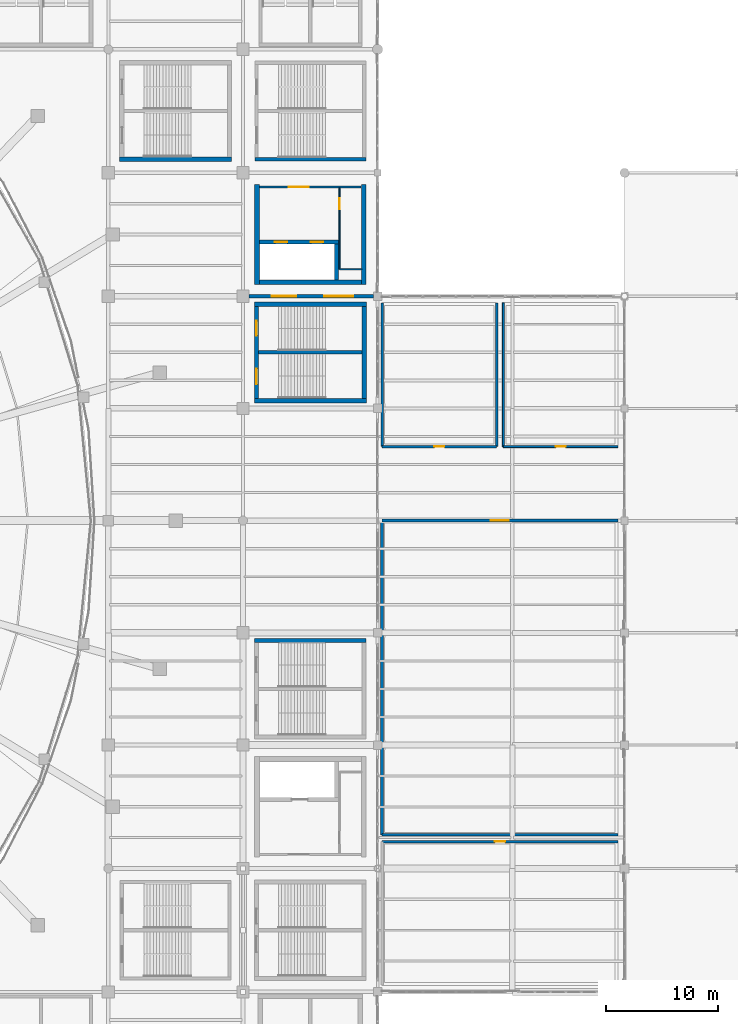
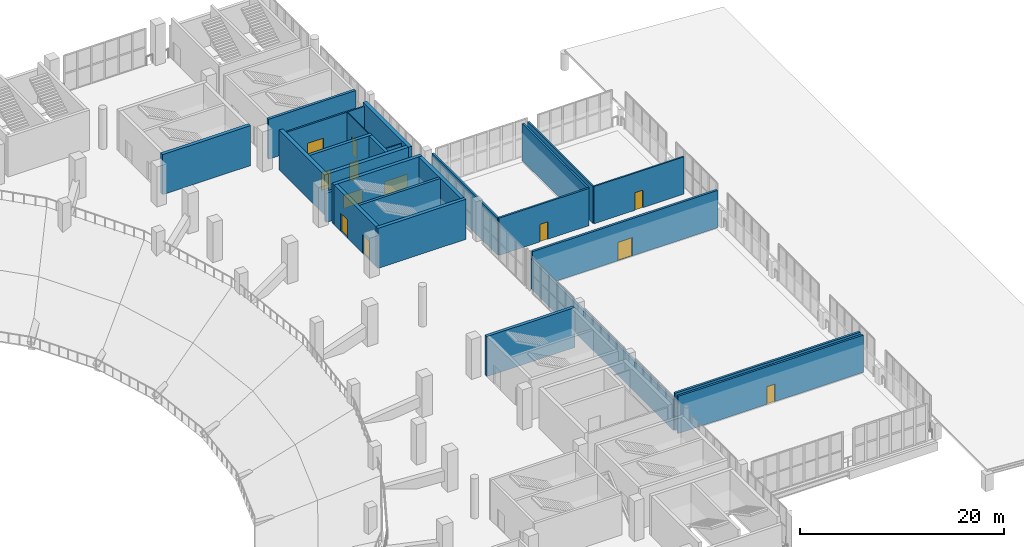
# One storey, part 113 of 136: 26 walls, 10 doors, 2 windows, 12 openings.
"""IFC4 building model written with IfcOpenShell, lengths in metres."""

from ifc_helpers import new_model, si_unit, direction, frame, frame_2d, origin, place, context, subcontext, project, spatial, rectangle, extrude, material, layer, layer_set, type_object, element, fill, save


model = new_model("IFC4")

# Units and contexts
model_context = context("Model", 3, precision=1e-05, world=origin(), true_north=direction((0.0, 1.0)))
body_context = subcontext(model_context, "Body", "Model", "MODEL_VIEW")
ifc_project = project(units=[si_unit("LENGTHUNIT", "METRE"), si_unit("AREAUNIT", "SQUARE_METRE"), si_unit("VOLUMEUNIT", "CUBIC_METRE"), si_unit("PLANEANGLEUNIT", "RADIAN"), si_unit("MASSUNIT", "GRAM", prefix="KILO")], contexts=[model_context])

# Site, building, storey
site_placement = place(None, origin())
site = spatial("IfcSite", under=ifc_project, at=site_placement, CompositionType="ELEMENT")
building_placement = place(site_placement, origin())
building = spatial("IfcBuilding", under=site, at=building_placement, Name="Brinegate Civic Arena", CompositionType="ELEMENT")
storey_placement = place(building_placement, frame((0.0, 0.0, 5.39990234375)))
storey = spatial("IfcBuildingStorey", under=building, at=storey_placement, Name="L01", CompositionType="ELEMENT", Elevation=5.39990234375)

# Wall
ifc_material_1 = material(Name="Concrete C50/60", Category="concrete")
ifc_layer_1 = layer(ifc_material_1, 0.35009765625, Name="Concrete C50/60")
ifc_layer_set_1 = layer_set([ifc_layer_1], Name="Concrete C50/60")
wall_type_1 = type_object("IfcWallType", Name="WALL-CORE-SHEAR-350", PredefinedType="SHEAR", material=ifc_layer_set_1)
wall_1_placement = place(storey_placement, frame((157.02490234375, 51.300048828125, 0.0), z_axis=(0.0, 0.0, 1.0), x_axis=(1.0, 0.0, 0.0)))
element("IfcWall", 1, at=wall_1_placement, inside=storey, type_object=wall_type_1, Name="Stair ST-10 North Shear Wall L01 (WBD-60)", PredefinedType="SHEAR", context=body_context, shape_type="SweptSolid", body=[
    extrude(rectangle(XDim=9.9501953125, YDim=0.35009765625, at=frame_2d((4.97509765625, 0.0))), origin(), (0.0, 0.0, 1.0), 4.800048828125),
])

# Wall, openings, doors
wall_2_placement = place(storey_placement, frame((157.4599609375, 86.85009765625, 0.0), z_axis=(0.0, 0.0, 1.0), x_axis=(1.0, 0.0, 0.0)))
wall_2 = element("IfcWall", 2, at=wall_2_placement, inside=storey, type_object=wall_type_1, Name="Core K5 Lift Shaft Front Wall L01 (WBH-51)", PredefinedType="SHEAR", context=body_context, shape_type="SweptSolid", body=[
    extrude(rectangle(XDim=7.06494140625, YDim=0.35009765625, at=frame_2d((3.532470703125, 0.0))), origin(), (0.0, 0.0, 1.0), 4.800048828125),
])
opening_1_placement = place(wall_2_placement, frame((1.389892578125, 0.0, 0.0)))
opening_1 = element("IfcOpeningElement", 3, at=opening_1_placement, cuts=wall_2, Name="Opening LD-PL7-L01", PredefinedType="OPENING", context=body_context, shape_type="SweptSolid", body=[
    extrude(rectangle(XDim=1.10009765625, YDim=2.199951171875, at=frame_2d((0.550048828125, 1.10009765625))), frame((0.0, 0.18505859375, 0.0), z_axis=(0.0, -1.0, 0.0), x_axis=(1.0, 0.0, 0.0)), (0.0, 0.0, 1.0), 0.3701171875),
])
opening_2_placement = place(wall_2_placement, frame((4.590087890625, 0.0, 0.0)))
opening_2 = element("IfcOpeningElement", 4, at=opening_2_placement, cuts=wall_2, Name="Opening LD-PL8-L01", PredefinedType="OPENING", context=body_context, shape_type="SweptSolid", body=[
    extrude(rectangle(XDim=1.10009765625, YDim=2.199951171875, at=frame_2d((0.550048828125, 1.10009765625))), frame((0.0, 0.18505859375, 0.0), z_axis=(0.0, -1.0, 0.0), x_axis=(1.0, 0.0, 0.0)), (0.0, 0.0, 1.0), 0.3701171875),
])
ifc_material_2 = material(Name="Architectural stainless steel balustrade", Category="steel")
door_type_1 = type_object("IfcDoorType", Name="DOOR-LIFT-1100X2200", OperationType="SLIDING_TO_LEFT", PredefinedType="DOOR", material=ifc_material_2)
door_1_placement = place(opening_1_placement, origin())
door_1 = element("IfcDoor", 5, at=door_1_placement, inside=storey, type_object=door_type_1, Name="Sliding Lift Landing Door LD-PL7-L01", OperationType="SLIDING_TO_LEFT", OverallHeight=2.199951171875, OverallWidth=1.10009765625, PredefinedType="DOOR", context=body_context, shape_type="SweptSolid", body=[
    extrude(rectangle(XDim=1.10009765625, YDim=2.199951171875, at=frame_2d((0.550048828125, 1.10009765625))), frame((0.0, 0.02490234375, 0.0), z_axis=(0.0, -1.0, 0.0), x_axis=(1.0, 0.0, 0.0)), (0.0, 0.0, 1.0), 0.050048828125),
])
fill(opening_1, door_1)
door_2_placement = place(opening_2_placement, origin())
door_2 = element("IfcDoor", 6, at=door_2_placement, inside=storey, type_object=door_type_1, Name="Sliding Lift Landing Door LD-PL8-L01", OperationType="SLIDING_TO_LEFT", OverallHeight=2.199951171875, OverallWidth=1.10009765625, PredefinedType="DOOR", context=body_context, shape_type="SweptSolid", body=[
    extrude(rectangle(XDim=1.10009765625, YDim=2.199951171875, at=frame_2d((0.550048828125, 1.10009765625))), frame((0.0, 0.02490234375, 0.0), z_axis=(0.0, -1.0, 0.0), x_axis=(1.0, 0.0, 0.0)), (0.0, 0.0, 1.0), 0.050048828125),
])
fill(opening_2, door_2)

# Walls
wall_3_placement = place(storey_placement, frame((164.35009765625, 83.4599609375, 0.0), z_axis=(0.0, 0.0, 1.0), x_axis=(0.0, 1.0, 0.0)))
element("IfcWall", 7, at=wall_3_placement, inside=storey, type_object=wall_type_1, Name="Core K5 Lift Shaft End Wall L01 (WBH-52)", PredefinedType="SHEAR", context=body_context, shape_type="SweptSolid", body=[
    extrude(rectangle(XDim=3.215087890625, YDim=0.35009765625, at=frame_2d((1.607421875, 0.0))), origin(), (0.0, 0.0, 1.0), 4.800048828125),
])
ifc_layer_2 = layer(ifc_material_1, 0.389892578125, Name="Concrete C50/60")
ifc_layer_set_2 = layer_set([ifc_layer_2], Name="Concrete C50/60")
wall_type_2 = type_object("IfcWallType", Name="WALL-CORE-SHEAR-390", PredefinedType="SHEAR", material=ifc_layer_set_2)
for number, where, z_axis, x_axis, name in (
    (8, (157.0048828125, 72.699951171875, 0.0), (0.0, 0.0, 1.0), (1.0, 0.0, 0.0), "Stair ST-09 South Shear Wall L01 (WBD-34)"),
    (9, (157.0048828125, 81.300048828125, 0.0), (0.0, 0.0, 1.0), (1.0, 0.0, 0.0), "Stair ST-09 North Shear Wall L01 (WBD-35)"),
):
    element("IfcWall", number, at=place(storey_placement, frame(where, z_axis=z_axis, x_axis=x_axis)), inside=storey, type_object=wall_type_2, Name=name, PredefinedType="SHEAR", context=body_context, shape_type="SweptSolid", body=[
        extrude(rectangle(XDim=9.990234375, YDim=0.389892578125, at=frame_2d((4.9951171875, 0.0))), origin(), (0.0, 0.0, 1.0), 4.800048828125),
    ])

# Wall, openings, doors
wall_4_placement = place(storey_placement, frame((157.199951171875, 72.89501953125, 0.0), z_axis=(0.0, 0.0, 1.0), x_axis=(0.0, 1.0, 0.0)))
wall_4 = element("IfcWall", 10, at=wall_4_placement, inside=storey, type_object=wall_type_2, Name="Stair ST-09 West Shear Wall L01 (WBD-36)", PredefinedType="SHEAR", context=body_context, shape_type="SweptSolid", body=[
    extrude(rectangle(XDim=8.2099609375, YDim=0.389892578125, at=frame_2d((4.10498046875, 0.0))), origin(), (0.0, 0.0, 1.0), 4.800048828125),
])
opening_3_placement = place(wall_4_placement, frame((1.2548828125, 0.0, 0.0)))
opening_3 = element("IfcOpeningElement", 11, at=opening_3_placement, cuts=wall_4, Name="Opening D-ST09A-L01", PredefinedType="OPENING", context=body_context, shape_type="SweptSolid", body=[
    extrude(rectangle(XDim=1.39990234375, YDim=2.199951171875, at=frame_2d((0.699951171875, 1.10009765625))), frame((0.0, 0.204833984375, 0.0), z_axis=(0.0, -1.0, 0.0), x_axis=(1.0, 0.0, 0.0)), (0.0, 0.0, 1.0), 0.409912109375),
])
opening_4_placement = place(wall_4_placement, frame((5.594970703125, 0.0, 0.0)))
opening_4 = element("IfcOpeningElement", 12, at=opening_4_placement, cuts=wall_4, Name="Opening D-ST09B-L01", PredefinedType="OPENING", context=body_context, shape_type="SweptSolid", body=[
    extrude(rectangle(XDim=1.320068359375, YDim=2.199951171875, at=frame_2d((0.66015625, 1.10009765625))), frame((0.0, 0.204833984375, 0.0), z_axis=(0.0, -1.0, 0.0), x_axis=(1.0, 0.0, 0.0)), (0.0, 0.0, 1.0), 0.409912109375),
])
ifc_material_3 = material(Name="Galvanized hurricane steel", Category="steel")
door_type_2 = type_object("IfcDoorType", Name="DOOR-STAIR-2200X2200", OperationType="NOTDEFINED", PredefinedType="DOOR", material=ifc_material_3)
door_3_placement = place(opening_4_placement, origin())
door_3 = element("IfcDoor", 13, at=door_3_placement, inside=storey, type_object=door_type_2, Name="Protected Exit Stair Door D-ST09B-L01", OperationType="DOUBLE_DOOR_SINGLE_SWING", OverallHeight=2.199951171875, OverallWidth=1.320068359375, PredefinedType="DOOR", context=body_context, shape_type="SweptSolid", body=[
    extrude(rectangle(XDim=1.320068359375, YDim=2.199951171875, at=frame_2d((0.66015625, 1.10009765625))), frame((0.0, 0.02490234375, 0.0), z_axis=(0.0, -1.0, 0.0), x_axis=(1.0, 0.0, 0.0)), (0.0, 0.0, 1.0), 0.050048828125),
])
fill(opening_4, door_3)
door_type_3 = type_object("IfcDoorType", Name="DOOR-STAIR-2400X2200", OperationType="NOTDEFINED", PredefinedType="DOOR", material=ifc_material_3)
door_4_placement = place(opening_3_placement, origin())
door_4 = element("IfcDoor", 14, at=door_4_placement, inside=storey, type_object=door_type_3, Name="Protected Exit Stair Door D-ST09A-L01", OperationType="DOUBLE_DOOR_SINGLE_SWING", OverallHeight=2.199951171875, OverallWidth=1.39990234375, PredefinedType="DOOR", context=body_context, shape_type="SweptSolid", body=[
    extrude(rectangle(XDim=1.39990234375, YDim=2.199951171875, at=frame_2d((0.699951171875, 1.10009765625))), frame((0.0, 0.02490234375, 0.0), z_axis=(0.0, -1.0, 0.0), x_axis=(1.0, 0.0, 0.0)), (0.0, 0.0, 1.0), 0.050048828125),
])
fill(opening_3, door_4)

# Walls
wall_5_placement = place(storey_placement, frame((166.800048828125, 72.89501953125, 0.0), z_axis=(0.0, 0.0, 1.0), x_axis=(0.0, 1.0, 0.0)))
element("IfcWall", 15, at=wall_5_placement, inside=storey, type_object=wall_type_2, Name="Stair ST-09 East Shear Wall L01 (WBD-37)", PredefinedType="SHEAR", context=body_context, shape_type="SweptSolid", body=[
    extrude(rectangle(XDim=8.2099609375, YDim=0.389892578125, at=frame_2d((4.10498046875, 0.0))), origin(), (0.0, 0.0, 1.0), 4.800048828125),
])
wall_6_placement = place(storey_placement, frame((145.0048828125, 94.199951171875, 0.0), z_axis=(0.0, 0.0, 1.0), x_axis=(1.0, 0.0, 0.0)))
element("IfcWall", 16, at=wall_6_placement, inside=storey, type_object=wall_type_2, Name="Stair ST-18 South Shear Wall L01 (WBL-06)", PredefinedType="SHEAR", context=body_context, shape_type="SweptSolid", body=[
    extrude(rectangle(XDim=9.990234375, YDim=0.389892578125, at=frame_2d((4.9951171875, 0.0))), origin(), (0.0, 0.0, 1.0), 4.800048828125),
])
ifc_layer_3 = layer(ifc_material_1, 0.419921875, Name="Concrete C50/60")
ifc_layer_set_3 = layer_set([ifc_layer_3], Name="Concrete C50/60")
wall_type_3 = type_object("IfcWallType", Name="WALL-CORE-SHEAR-420", PredefinedType="SHEAR", material=ifc_layer_set_3)
for number, where, z_axis, x_axis, name in (
    (17, (157.25, 83.0400390625, 0.0), (0.0, 0.0, 1.0), (0.0, 1.0, 0.0), "Core K5 West Shear Wall L01 (WBH-48)"),
    (18, (166.75, 83.0400390625, 0.0), (0.0, 0.0, 1.0), (0.0, 1.0, 0.0), "Core K5 East Shear Wall L01 (WBH-49)"),
):
    element("IfcWall", number, at=place(storey_placement, frame(where, z_axis=z_axis, x_axis=x_axis)), inside=storey, type_object=wall_type_3, Name=name, PredefinedType="SHEAR", context=body_context, shape_type="SweptSolid", body=[
        extrude(rectangle(XDim=8.919921875, YDim=0.419921875, at=frame_2d((4.4599609375, 0.0))), origin(), (0.0, 0.0, 1.0), 4.800048828125),
    ])
wall_7_placement = place(storey_placement, frame((157.4599609375, 83.25, 0.0), z_axis=(0.0, 0.0, 1.0), x_axis=(1.0, 0.0, 0.0)))
element("IfcWall", 19, at=wall_7_placement, inside=storey, type_object=wall_type_3, Name="Core K5 South Shear Wall L01 (WBH-50)", PredefinedType="SHEAR", context=body_context, shape_type="SweptSolid", body=[
    extrude(rectangle(XDim=9.080078125, YDim=0.419921875, at=frame_2d((4.5400390625, 0.0))), origin(), (0.0, 0.0, 1.0), 4.800048828125),
])

# Wall, openings, windows
ifc_material_4 = material(Name="Precast concrete C45/55", Category="concrete")
ifc_layer_4 = layer(ifc_material_4, 0.330078125, Name="Precast concrete C45/55")
ifc_layer_set_4 = layer_set([ifc_layer_4], Name="Precast concrete C45/55")
wall_type_4 = type_object("IfcWallType", Name="WALL-EXT-PRECAST-330", PredefinedType="SOLIDWALL", material=ifc_layer_set_4)
wall_8_placement = place(storey_placement, frame((156.534912109375, 82.0, 0.0), z_axis=(0.0, 0.0, 1.0), x_axis=(1.0, 0.0, 0.0)))
wall_8 = element("IfcWall", 20, at=wall_8_placement, inside=storey, type_object=wall_type_4, Name="Perimeter Window Wall L01-08 (WBA-08)", PredefinedType="SOLIDWALL", context=body_context, shape_type="SweptSolid", body=[
    extrude(rectangle(XDim=11.10498046875, YDim=0.330078125, at=frame_2d((5.552490234375, 0.0))), origin(), (0.0, 0.0, 1.0), 3.523193359375),
])
opening_5_placement = place(wall_8_placement, frame((2.009033203125, 0.0, 0.89990234375)))
opening_5 = element("IfcOpeningElement", 21, at=opening_5_placement, cuts=wall_8, Name="Opening WN-0013", PredefinedType="OPENING", context=body_context, shape_type="SweptSolid", body=[
    extrude(rectangle(XDim=2.199951171875, YDim=1.60009765625, at=frame_2d((1.10009765625, 0.800048828125))), frame((0.0, 0.175048828125, 0.0), z_axis=(0.0, -1.0, 0.0), x_axis=(1.0, 0.0, 0.0)), (0.0, 0.0, 1.0), 0.35009765625),
])
opening_6_placement = place(wall_8_placement, frame((6.696044921875, 0.0, 0.89990234375)))
opening_6 = element("IfcOpeningElement", 22, at=opening_6_placement, cuts=wall_8, Name="Opening WN-0014", PredefinedType="OPENING", context=body_context, shape_type="SweptSolid", body=[
    extrude(rectangle(XDim=2.60009765625, YDim=1.60009765625, at=frame_2d((1.300048828125, 0.800048828125))), frame((0.0, 0.175048828125, 0.0), z_axis=(0.0, -1.0, 0.0), x_axis=(1.0, 0.0, 0.0)), (0.0, 0.0, 1.0), 0.35009765625),
])
ifc_material_5 = material(Name="Hurricane laminated low-E glass", Category="glass")
window_type_1 = type_object("IfcWindowType", Name="WIN-CASEMENT-2200X1600", PartitioningType="SINGLE_PANEL", PredefinedType="WINDOW", material=ifc_material_5)
window_1_placement = place(opening_5_placement, origin())
window_1 = element("IfcWindow", 23, at=window_1_placement, inside=storey, type_object=window_type_1, Name="Window WN-0013", OverallHeight=1.60009765625, OverallWidth=2.199951171875, PartitioningType="SINGLE_PANEL", PredefinedType="WINDOW", context=body_context, shape_type="SweptSolid", body=[
    extrude(rectangle(XDim=2.199951171875, YDim=1.60009765625, at=frame_2d((1.10009765625, 0.800048828125))), frame((0.0, 0.030029296875, 0.0), z_axis=(0.0, -1.0, 0.0), x_axis=(1.0, 0.0, 0.0)), (0.0, 0.0, 1.0), 0.06005859375),
])
fill(opening_5, window_1)
window_type_2 = type_object("IfcWindowType", Name="WIN-CASEMENT-2600X1600", PartitioningType="SINGLE_PANEL", PredefinedType="WINDOW", material=ifc_material_5)
window_2_placement = place(opening_6_placement, origin())
window_2 = element("IfcWindow", 24, at=window_2_placement, inside=storey, type_object=window_type_2, Name="Window WN-0014", OverallHeight=1.60009765625, OverallWidth=2.60009765625, PartitioningType="SINGLE_PANEL", PredefinedType="WINDOW", context=body_context, shape_type="SweptSolid", body=[
    extrude(rectangle(XDim=2.60009765625, YDim=1.60009765625, at=frame_2d((1.300048828125, 0.800048828125))), frame((0.0, 0.030029296875, 0.0), z_axis=(0.0, -1.0, 0.0), x_axis=(1.0, 0.0, 0.0)), (0.0, 0.0, 1.0), 0.06005859375),
])
fill(opening_6, window_2)

# Wall
ifc_material_6 = material(Name="Concrete C40/50", Category="concrete")
ifc_layer_5 = layer(ifc_material_6, 0.2099609375, Name="Concrete C40/50")
ifc_layer_set_5 = layer_set([ifc_layer_5], Name="Concrete C40/50")
wall_type_5 = type_object("IfcWallType", Name="WALL-INT-SOLID-210", PredefinedType="SOLIDWALL", material=ifc_layer_set_5)
wall_9_placement = place(storey_placement, frame((178.60009765625, 81.39990234375, 0.0), z_axis=(0.0, 0.0, 1.0), x_axis=(0.0, -1.0, 0.0)))
element("IfcWall", 25, at=wall_9_placement, inside=storey, type_object=wall_type_5, Name="Concourse North Male Toilet Partition Wall E1 (WBJ-12)", PredefinedType="SOLIDWALL", context=body_context, shape_type="SweptSolid", body=[
    extrude(rectangle(XDim=12.7998046875, YDim=0.2099609375, at=frame_2d((6.39990234375, 0.0))), origin(), (0.0, 0.0, 1.0), 4.47021484375),
])

# Wall, opening, door
wall_10_placement = place(storey_placement, frame((178.60009765625, 68.60009765625, 0.0), z_axis=(0.0, 0.0, 1.0), x_axis=(-1.0, 0.0, 0.0)))
wall_10 = element("IfcWall", 26, at=wall_10_placement, inside=storey, type_object=wall_type_5, Name="Concourse North Male Toilet Partition Wall E2 (WBJ-13)", PredefinedType="SOLIDWALL", context=body_context, shape_type="SweptSolid", body=[
    extrude(rectangle(XDim=10.2001953125, YDim=0.2099609375, at=frame_2d((5.10009765625, 0.0))), origin(), (0.0, 0.0, 1.0), 4.47021484375),
])
opening_7_placement = place(wall_10_placement, frame((4.64990234375, 0.0, 0.0)))
opening_7 = element("IfcOpeningElement", 27, at=opening_7_placement, cuts=wall_10, Name="Opening D-L01-179", PredefinedType="OPENING", context=body_context, shape_type="SweptSolid", body=[
    extrude(rectangle(XDim=0.89990234375, YDim=2.10009765625, at=frame_2d((0.449951171875, 1.050048828125))), frame((0.0, 0.114990234375, 0.0), z_axis=(0.0, -1.0, 0.0), x_axis=(1.0, 0.0, 0.0)), (0.0, 0.0, 1.0), 0.22998046875),
])
ifc_material_7 = material(Name="Hardwood acoustic timber door", Category="wood")
door_type_4 = type_object("IfcDoorType", Name="DOOR-WC-900X2100", OperationType="NOTDEFINED", PredefinedType="DOOR", material=ifc_material_7)
door_5_placement = place(opening_7_placement, origin())
door_5 = element("IfcDoor", 28, at=door_5_placement, inside=storey, type_object=door_type_4, Name="Concourse North Male Toilet Door D-L01-179", OperationType="SINGLE_SWING_LEFT", OverallHeight=2.10009765625, OverallWidth=0.89990234375, PredefinedType="DOOR", context=body_context, shape_type="SweptSolid", body=[
    extrude(rectangle(XDim=0.89990234375, YDim=2.10009765625, at=frame_2d((0.449951171875, 1.050048828125))), frame((0.0, 0.02490234375, 0.0), z_axis=(0.0, -1.0, 0.0), x_axis=(1.0, 0.0, 0.0)), (0.0, 0.0, 1.0), 0.050048828125),
])
fill(opening_7, door_5)

# Wall
wall_11_placement = place(storey_placement, frame((168.39990234375, 68.60009765625, 0.0), z_axis=(0.0, 0.0, 1.0), x_axis=(0.0, 1.0, 0.0)))
element("IfcWall", 29, at=wall_11_placement, inside=storey, type_object=wall_type_5, Name="Concourse North Male Toilet Partition Wall E3 (WBJ-14)", PredefinedType="SOLIDWALL", context=body_context, shape_type="SweptSolid", body=[
    extrude(rectangle(XDim=12.7998046875, YDim=0.2099609375, at=frame_2d((6.39990234375, 0.0))), origin(), (0.0, 0.0, 1.0), 4.47021484375),
])

# Wall, opening, door
ifc_layer_6 = layer(ifc_material_6, 0.22998046875, Name="Concrete C40/50")
ifc_layer_set_6 = layer_set([ifc_layer_6], Name="Concrete C40/50")
wall_type_6 = type_object("IfcWallType", Name="WALL-INT-SOLID-230", PredefinedType="SOLIDWALL", material=ifc_layer_set_6)
wall_12_placement = place(storey_placement, frame((168.39990234375, 33.39990234375, 0.0), z_axis=(0.0, 0.0, 1.0), x_axis=(1.0, 0.0, 0.0)))
wall_12 = element("IfcWall", 30, at=wall_12_placement, inside=storey, type_object=wall_type_6, Name="First Aid and Spectator Medical Station Partition Wall E4 (WBJ-11)", PredefinedType="SOLIDWALL", context=body_context, shape_type="SweptSolid", body=[
    extrude(rectangle(XDim=21.0, YDim=0.22998046875, at=frame_2d((10.5, 0.0))), origin(), (0.0, 0.0, 1.0), 4.47021484375),
])
opening_8_placement = place(wall_12_placement, frame((10.050048828125, 0.0, 0.0)))
opening_8 = element("IfcOpeningElement", 31, at=opening_8_placement, cuts=wall_12, Name="Opening D-L01-178", PredefinedType="OPENING", context=body_context, shape_type="SweptSolid", body=[
    extrude(rectangle(XDim=0.89990234375, YDim=2.10009765625, at=frame_2d((0.449951171875, 1.050048828125))), frame((0.0, 0.125, 0.0), z_axis=(0.0, -1.0, 0.0), x_axis=(1.0, 0.0, 0.0)), (0.0, 0.0, 1.0), 0.25),
])
door_6_placement = place(opening_8_placement, origin())
door_6 = element("IfcDoor", 32, at=door_6_placement, inside=storey, type_object=door_type_4, Name="First Aid and Spectator Medical Station Door D-L01-178", OperationType="SINGLE_SWING_RIGHT", OverallHeight=2.10009765625, OverallWidth=0.89990234375, PredefinedType="DOOR", context=body_context, shape_type="SweptSolid", body=[
    extrude(rectangle(XDim=0.89990234375, YDim=2.10009765625, at=frame_2d((0.449951171875, 1.050048828125))), frame((0.0, 0.02490234375, 0.0), z_axis=(0.0, -1.0, 0.0), x_axis=(1.0, 0.0, 0.0)), (0.0, 0.0, 1.0), 0.050048828125),
])
fill(opening_8, door_6)

# Walls
ifc_layer_7 = layer(ifc_material_6, 0.25, Name="Concrete C40/50")
ifc_layer_set_7 = layer_set([ifc_layer_7], Name="Concrete C40/50")
wall_type_7 = type_object("IfcWallType", Name="WALL-INT-SOLID-250", PredefinedType="SOLIDWALL", material=ifc_layer_set_7)
wall_13_placement = place(storey_placement, frame((189.39990234375, 34.0, 0.0), z_axis=(0.0, 0.0, 1.0), x_axis=(-1.0, 0.0, 0.0)))
element("IfcWall", 33, at=wall_13_placement, inside=storey, type_object=wall_type_7, Name="East Concourse Fan Club Lounge Partition Wall E2 (WBJ-07)", PredefinedType="SOLIDWALL", context=body_context, shape_type="SweptSolid", body=[
    extrude(rectangle(XDim=21.0, YDim=0.25, at=frame_2d((10.5, 0.0))), origin(), (0.0, 0.0, 1.0), 4.47021484375),
])
wall_14_placement = place(storey_placement, frame((168.39990234375, 34.0, 0.0), z_axis=(0.0, 0.0, 1.0), x_axis=(0.0, 1.0, 0.0)))
element("IfcWall", 34, at=wall_14_placement, inside=storey, type_object=wall_type_7, Name="East Concourse Fan Club Lounge Partition Wall E3 (WBJ-08)", PredefinedType="SOLIDWALL", context=body_context, shape_type="SweptSolid", body=[
    extrude(rectangle(XDim=28.0, YDim=0.25, at=frame_2d((14.0, 0.0))), origin(), (0.0, 0.0, 1.0), 3.60009765625),
])

# Wall, opening, door
wall_15_placement = place(storey_placement, frame((168.39990234375, 62.0, 0.0), z_axis=(0.0, 0.0, 1.0), x_axis=(1.0, 0.0, 0.0)))
wall_15 = element("IfcWall", 35, at=wall_15_placement, inside=storey, type_object=wall_type_7, Name="East Concourse Fan Club Lounge Partition Wall E4 (WBJ-09)", PredefinedType="SOLIDWALL", context=body_context, shape_type="SweptSolid", body=[
    extrude(rectangle(XDim=21.0, YDim=0.25, at=frame_2d((10.5, 0.0))), origin(), (0.0, 0.0, 1.0), 4.47021484375),
])
opening_9_placement = place(wall_15_placement, frame((9.699951171875, 0.0, 0.0)))
opening_9 = element("IfcOpeningElement", 36, at=opening_9_placement, cuts=wall_15, Name="Opening D-L01-177", PredefinedType="OPENING", context=body_context, shape_type="SweptSolid", body=[
    extrude(rectangle(XDim=1.60009765625, YDim=2.199951171875, at=frame_2d((0.800048828125, 1.10009765625))), frame((0.0, 0.135009765625, 0.0), z_axis=(0.0, -1.0, 0.0), x_axis=(1.0, 0.0, 0.0)), (0.0, 0.0, 1.0), 0.27001953125),
])
door_type_5 = type_object("IfcDoorType", Name="DOOR-CLUB-1600X2200", OperationType="NOTDEFINED", PredefinedType="DOOR", material=ifc_material_7)
door_7_placement = place(opening_9_placement, origin())
door_7 = element("IfcDoor", 37, at=door_7_placement, inside=storey, type_object=door_type_5, Name="East Concourse Fan Club Lounge Door D-L01-177", OperationType="DOUBLE_DOOR_SINGLE_SWING", OverallHeight=2.199951171875, OverallWidth=1.60009765625, PredefinedType="DOOR", context=body_context, shape_type="SweptSolid", body=[
    extrude(rectangle(XDim=1.60009765625, YDim=2.199951171875, at=frame_2d((0.800048828125, 1.10009765625))), frame((0.0, 0.02490234375, 0.0), z_axis=(0.0, -1.0, 0.0), x_axis=(1.0, 0.0, 0.0)), (0.0, 0.0, 1.0), 0.050048828125),
])
fill(opening_9, door_7)

ifc_material_8 = material(Name="Fire-rated gypsum partition assembly")
ifc_layer_8 = layer(ifc_material_8, 0.175048828125, Name="Fire-rated gypsum partition assembly")
ifc_layer_set_8 = layer_set([ifc_layer_8], Name="Fire-rated gypsum partition assembly")
wall_type_8 = type_object("IfcWallType", Name="WALL-PART-RATED-175", PredefinedType="PARTITIONING", material=ifc_layer_set_8)
wall_16_placement = place(storey_placement, frame((189.39990234375, 68.60009765625, 0.0), z_axis=(0.0, 0.0, 1.0), x_axis=(-1.0, 0.0, 0.0)))
wall_16 = element("IfcWall", 38, at=wall_16_placement, inside=storey, type_object=wall_type_8, Name="Concourse North Female Toilet Partition Wall E2 (WBJ-15)", PredefinedType="PARTITIONING", context=body_context, shape_type="SweptSolid", body=[
    extrude(rectangle(XDim=10.199951171875, YDim=0.175048828125, at=frame_2d((5.10009765625, 0.0))), origin(), (0.0, 0.0, 1.0), 4.47021484375),
])
opening_10_placement = place(wall_16_placement, frame((4.64990234375, 0.0, 0.0)))
opening_10 = element("IfcOpeningElement", 39, at=opening_10_placement, cuts=wall_16, Name="Opening D-L01-180", PredefinedType="OPENING", context=body_context, shape_type="SweptSolid", body=[
    extrude(rectangle(XDim=0.89990234375, YDim=2.10009765625, at=frame_2d((0.449951171875, 1.050048828125))), frame((0.0, 0.097412109375, 0.0), z_axis=(0.0, -1.0, 0.0), x_axis=(1.0, 0.0, 0.0)), (0.0, 0.0, 1.0), 0.195068359375),
])
door_8_placement = place(opening_10_placement, origin())
door_8 = element("IfcDoor", 40, at=door_8_placement, inside=storey, type_object=door_type_4, Name="Concourse North Female Toilet Door D-L01-180", OperationType="SINGLE_SWING_RIGHT", OverallHeight=2.10009765625, OverallWidth=0.89990234375, PredefinedType="DOOR", context=body_context, shape_type="SweptSolid", body=[
    extrude(rectangle(XDim=0.89990234375, YDim=2.10009765625, at=frame_2d((0.449951171875, 1.050048828125))), frame((0.0, 0.02490234375, 0.0), z_axis=(0.0, -1.0, 0.0), x_axis=(1.0, 0.0, 0.0)), (0.0, 0.0, 1.0), 0.050048828125),
])
fill(opening_10, door_8)

# Wall
wall_17_placement = place(storey_placement, frame((179.199951171875, 68.60009765625, 0.0), z_axis=(0.0, 0.0, 1.0), x_axis=(0.0, 1.0, 0.0)))
element("IfcWall", 41, at=wall_17_placement, inside=storey, type_object=wall_type_8, Name="Concourse North Female Toilet Partition Wall E3 (WBJ-16)", PredefinedType="PARTITIONING", context=body_context, shape_type="SweptSolid", body=[
    extrude(rectangle(XDim=12.7998046875, YDim=0.175048828125, at=frame_2d((6.39990234375, 0.0))), origin(), (0.0, 0.0, 1.0), 4.47021484375),
])

# Wall, opening, door
ifc_material_9 = material(Name="Concrete blockwork masonry", Category="masonry")
ifc_layer_9 = layer(ifc_material_9, 0.18994140625, Name="Concrete blockwork masonry")
ifc_layer_set_9 = layer_set([ifc_layer_9], Name="Concrete blockwork masonry")
wall_type_9 = type_object("IfcWallType", Name="WALL-PART-RATED-190", PredefinedType="PARTITIONING", material=ifc_layer_set_9)
wall_18_placement = place(storey_placement, frame((157.469970703125, 91.75, 0.0), z_axis=(0.0, 0.0, 1.0), x_axis=(1.0, 0.0, 0.0)))
wall_18 = element("IfcWall", 42, at=wall_18_placement, inside=storey, type_object=wall_type_9, Name="Core K5 Concourse Lobby Wall L01 (WBH-53)", PredefinedType="PARTITIONING", context=body_context, shape_type="SweptSolid", body=[
    extrude(rectangle(XDim=9.06005859375, YDim=0.18994140625, at=frame_2d((4.530029296875, 0.0))), origin(), (0.0, 0.0, 1.0), 4.47021484375),
])
opening_11_placement = place(wall_18_placement, frame((2.60009765625, 0.0, 0.0)))
opening_11 = element("IfcOpeningElement", 43, at=opening_11_placement, cuts=wall_18, Name="Opening D-K5L-L01", PredefinedType="OPENING", context=body_context, shape_type="SweptSolid", body=[
    extrude(rectangle(XDim=1.800048828125, YDim=2.300048828125, at=frame_2d((0.89990234375, 1.14990234375))), frame((0.0, 0.10498046875, 0.0), z_axis=(0.0, -1.0, 0.0), x_axis=(1.0, 0.0, 0.0)), (0.0, 0.0, 1.0), 0.2099609375),
])
ifc_material_10 = material(Name="Marine grade aluminium", Category="aluminium")
door_type_6 = type_object("IfcDoorType", Name="DOOR-CONC-1800X2300", OperationType="NOTDEFINED", PredefinedType="DOOR", material=ifc_material_10)
door_9_placement = place(opening_11_placement, origin())
door_9 = element("IfcDoor", 44, at=door_9_placement, inside=storey, type_object=door_type_6, Name="Lift Lobby Door D-K5L-L01", OperationType="DOUBLE_DOOR_SINGLE_SWING", OverallHeight=2.300048828125, OverallWidth=1.800048828125, PredefinedType="DOOR", context=body_context, shape_type="SweptSolid", body=[
    extrude(rectangle(XDim=1.800048828125, YDim=2.300048828125, at=frame_2d((0.89990234375, 1.14990234375))), frame((0.0, 0.02490234375, 0.0), z_axis=(0.0, -1.0, 0.0), x_axis=(1.0, 0.0, 0.0)), (0.0, 0.0, 1.0), 0.050048828125),
])
fill(opening_11, door_9)

ifc_layer_10 = layer(ifc_material_9, 0.10009765625, Name="Concrete blockwork masonry")
ifc_layer_set_10 = layer_set([ifc_layer_10], Name="Concrete blockwork masonry")
wall_type_10 = type_object("IfcWallType", Name="WALL-PART-WET-100", PredefinedType="PARTITIONING", material=ifc_layer_set_10)
wall_19_placement = place(storey_placement, frame((164.60009765625, 84.39990234375, 0.0), z_axis=(0.0, 0.0, 1.0), x_axis=(0.0, 1.0, 0.0)))
wall_19 = element("IfcWall", 45, at=wall_19_placement, inside=storey, type_object=wall_type_10, Name="Accessible WC K5 Partition L01 (WBH-54)", PredefinedType="PARTITIONING", context=body_context, shape_type="SweptSolid", body=[
    extrude(rectangle(XDim=7.25, YDim=0.10009765625, at=frame_2d((3.625, 0.0))), origin(), (0.0, 0.0, 1.0), 4.47021484375),
])
opening_12_placement = place(wall_19_placement, frame((5.35009765625, 0.0, 0.0)))
opening_12 = element("IfcOpeningElement", 46, at=opening_12_placement, cuts=wall_19, Name="Opening D-K5W-L01", PredefinedType="OPENING", context=body_context, shape_type="SweptSolid", body=[
    extrude(rectangle(XDim=1.0, YDim=2.10009765625, at=frame_2d((0.5, 1.050048828125))), frame((0.0, 0.06005859375, 0.0), z_axis=(0.0, -1.0, 0.0), x_axis=(1.0, 0.0, 0.0)), (0.0, 0.0, 1.0), 0.1201171875),
])
door_type_7 = type_object("IfcDoorType", Name="DOOR-AWC-1000X2100", OperationType="NOTDEFINED", PredefinedType="DOOR", material=ifc_material_7)
door_10_placement = place(opening_12_placement, origin())
door_10 = element("IfcDoor", 47, at=door_10_placement, inside=storey, type_object=door_type_7, Name="Accessible WC Door D-K5W-L01", OperationType="SINGLE_SWING_LEFT", OverallHeight=2.10009765625, OverallWidth=1.0, PredefinedType="DOOR", context=body_context, shape_type="SweptSolid", body=[
    extrude(rectangle(XDim=1.0, YDim=2.10009765625, at=frame_2d((0.5, 1.050048828125))), frame((0.0, 0.02490234375, 0.0), z_axis=(0.0, -1.0, 0.0), x_axis=(1.0, 0.0, 0.0)), (0.0, 0.0, 1.0), 0.050048828125),
])
fill(opening_12, door_10)

# Walls
wall_20_placement = place(storey_placement, frame((164.60009765625, 84.39990234375, 0.0), z_axis=(0.0, 0.0, 1.0), x_axis=(1.0, 0.0, 0.0)))
element("IfcWall", 48, at=wall_20_placement, inside=storey, type_object=wall_type_10, Name="Accessible WC K5 Back Partition L01 (WBH-55)", PredefinedType="PARTITIONING", context=body_context, shape_type="SweptSolid", body=[
    extrude(rectangle(XDim=2.0, YDim=0.10009765625, at=frame_2d((1.0, 0.0))), origin(), (0.0, 0.0, 1.0), 4.47021484375),
])
ifc_layer_11 = layer(ifc_material_1, 0.2900390625, Name="Concrete C50/60")
ifc_layer_set_11 = layer_set([ifc_layer_11], Name="Concrete C50/60")
wall_type_11 = type_object("IfcWallType", Name="WALL-STAIR-SHEAR-290", PredefinedType="SHEAR", material=ifc_layer_set_11)
wall_21_placement = place(storey_placement, frame((157.39501953125, 77.0, 0.0), z_axis=(0.0, 0.0, 1.0), x_axis=(1.0, 0.0, 0.0)))
element("IfcWall", 49, at=wall_21_placement, inside=storey, type_object=wall_type_11, Name="Stair ST-09 Central Dividing Shear Wall L01 (WBD-38)", PredefinedType="SHEAR", context=body_context, shape_type="SweptSolid", body=[
    extrude(rectangle(XDim=9.2099609375, YDim=0.2900390625, at=frame_2d((4.60498046875, 0.0))), origin(), (0.0, 0.0, 1.0), 4.800048828125),
])
wall_22_placement = place(storey_placement, frame((157.054931640625, 94.199951171875, 0.0), z_axis=(0.0, 0.0, 1.0), x_axis=(1.0, 0.0, 0.0)))
element("IfcWall", 50, at=wall_22_placement, inside=storey, type_object=wall_type_11, Name="Stair ST-20 South Shear Wall L01 (WBL-56)", PredefinedType="SHEAR", context=body_context, shape_type="SweptSolid", body=[
    extrude(rectangle(XDim=9.89013671875, YDim=0.2900390625, at=frame_2d((4.945068359375, 0.0))), origin(), (0.0, 0.0, 1.0), 4.800048828125),
])

save(model, "model.ifc")
